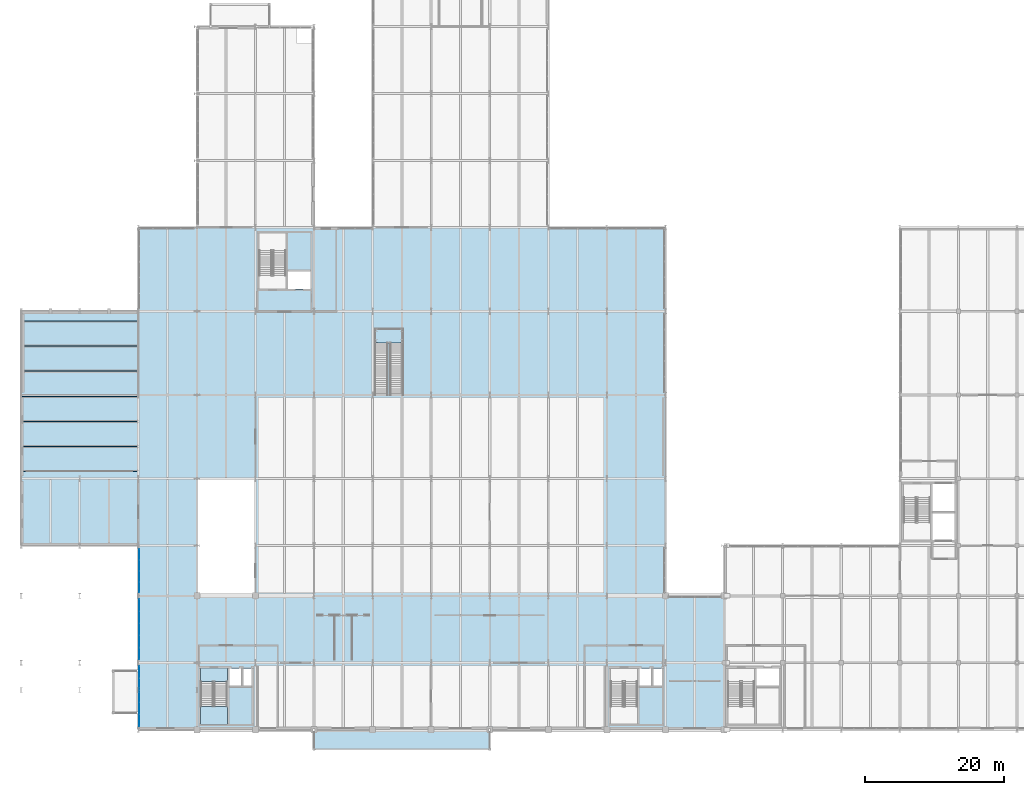
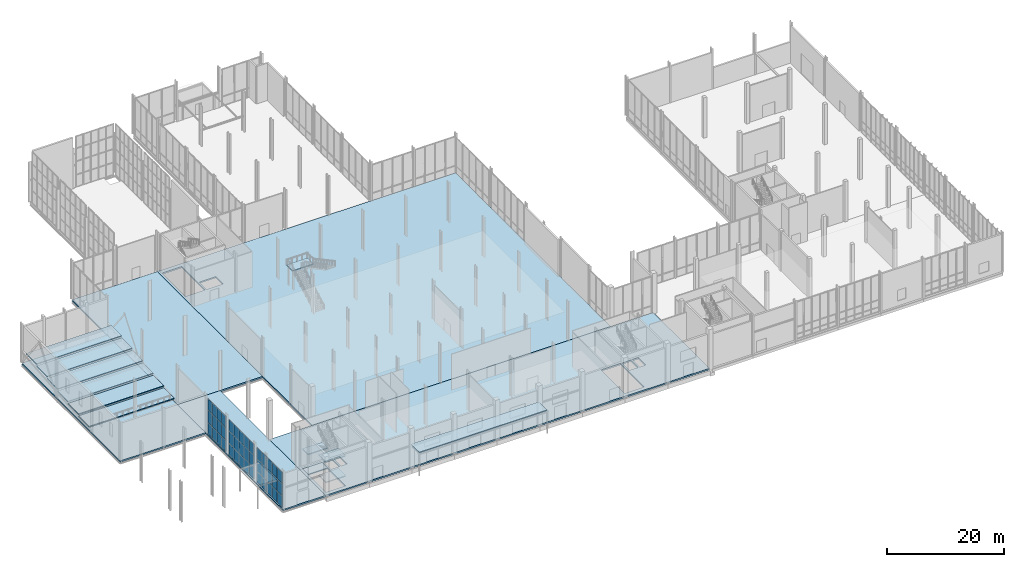
# One storey, part 100 of 131: 42 plates, 17 slabs, 5 elements without a shape of their own.
"""IFC4 building model written with IfcOpenShell, lengths in metres."""

from ifc_helpers import new_model, si_unit, direction, frame, origin, origin_2d, place, context, subcontext, project, spatial, polyline, rectangle, outline, extrude, material, layer, layer_set, type_object, element, aggregate, save


model = new_model("IFC4")

# Units and contexts
model_context = context("Model", 3, precision=1e-05, world=origin(), true_north=direction((0.0, 1.0)))
body_context = subcontext(model_context, "Body", "Model", "MODEL_VIEW")
ifc_project = project(units=[si_unit("LENGTHUNIT", "METRE"), si_unit("AREAUNIT", "SQUARE_METRE"), si_unit("VOLUMEUNIT", "CUBIC_METRE"), si_unit("PLANEANGLEUNIT", "RADIAN"), si_unit("MASSUNIT", "GRAM", prefix="KILO")], contexts=[model_context])

# Site, building, storey
site_placement = place(None, origin())
site = spatial("IfcSite", under=ifc_project, at=site_placement, CompositionType="ELEMENT")
building_placement = place(site_placement, origin())
building = spatial("IfcBuilding", under=site, at=building_placement, Name="Veltarok Museum of Natural Sciences", CompositionType="ELEMENT")
storey_placement = place(building_placement, origin())
storey = spatial("IfcBuildingStorey", under=building, at=storey_placement, Name="L00", CompositionType="ELEMENT", Elevation=0.0)

# Slabs
ifc_material_1 = material(Name="Precast concrete C40/50", Category="concrete")
ifc_layer_1 = layer(ifc_material_1, 0.179931640625)
ifc_layer_set_1 = layer_set([ifc_layer_1], Name="Precast concrete C40/50")
slab_type_1 = type_object("IfcSlabType", Name="Auditorium Raked Seating Tier Slab 180", PredefinedType="USERDEFINED", material=ifc_layer_set_1)
slab_1_placement = place(storey_placement, frame((0.0, 0.0, 0.570068359375)))
element("IfcSlab", 1, at=slab_1_placement, inside=storey, type_object=slab_type_1, Name="Stand Lower Auditorium Tier 1", ObjectType="SEATING TIER", PredefinedType="USERDEFINED", context=body_context, shape_type="SweptSolid", body=[
    extrude(outline(polyline([(6.39990234375, 37.0), (23.199951171875, 37.0), (23.199951171875, 40.60009765625), (6.39990234375, 40.60009765625), (6.39990234375, 37.0)])), origin(), (0.0, 0.0, 1.0), 0.179931640625),
])
slab_2_placement = place(storey_placement, frame((0.0, 0.0, 0.989990234375)))
element("IfcSlab", 2, at=slab_2_placement, inside=storey, type_object=slab_type_1, Name="Stand Lower Auditorium Tier 2", ObjectType="SEATING TIER", PredefinedType="USERDEFINED", context=body_context, shape_type="SweptSolid", body=[
    extrude(outline(polyline([(6.39990234375, 40.60009765625), (23.199951171875, 40.60009765625), (23.199951171875, 44.199951171875), (6.39990234375, 44.199951171875), (6.39990234375, 40.60009765625)])), origin(), (0.0, 0.0, 1.0), 0.179931640625),
])
slab_3_placement = place(storey_placement, frame((0.0, 0.0, 1.409912109375)))
element("IfcSlab", 3, at=slab_3_placement, inside=storey, type_object=slab_type_1, Name="Stand Lower Auditorium Tier 3", ObjectType="SEATING TIER", PredefinedType="USERDEFINED", context=body_context, shape_type="SweptSolid", body=[
    extrude(outline(polyline([(6.39990234375, 44.199951171875), (23.199951171875, 44.199951171875), (23.199951171875, 47.800048828125), (6.39990234375, 47.800048828125), (6.39990234375, 44.199951171875)])), origin(), (0.0, 0.0, 1.0), 0.18017578125),
])
slab_4_placement = place(storey_placement, frame((0.0, 0.0, 1.830078125)))
element("IfcSlab", 4, at=slab_4_placement, inside=storey, type_object=slab_type_1, Name="Stand Lower Auditorium Tier 4", ObjectType="SEATING TIER", PredefinedType="USERDEFINED", context=body_context, shape_type="SweptSolid", body=[
    extrude(outline(polyline([(6.39990234375, 47.800048828125), (23.199951171875, 47.800048828125), (23.199951171875, 51.39990234375), (6.39990234375, 51.39990234375), (6.39990234375, 47.800048828125)])), origin(), (0.0, 0.0, 1.0), 0.179931640625),
])
slab_5_placement = place(storey_placement, frame((0.0, 0.0, 2.25)))
element("IfcSlab", 5, at=slab_5_placement, inside=storey, type_object=slab_type_1, Name="Stand Lower Auditorium Tier 5", ObjectType="SEATING TIER", PredefinedType="USERDEFINED", context=body_context, shape_type="SweptSolid", body=[
    extrude(outline(polyline([(6.39990234375, 51.39990234375), (23.199951171875, 51.39990234375), (23.199951171875, 55.0), (6.39990234375, 55.0), (6.39990234375, 51.39990234375)])), origin(), (0.0, 0.0, 1.0), 0.179931640625),
])
slab_6_placement = place(storey_placement, frame((0.0, 0.0, 2.669921875)))
element("IfcSlab", 6, at=slab_6_placement, inside=storey, type_object=slab_type_1, Name="Stand Lower Auditorium Tier 6", ObjectType="SEATING TIER", PredefinedType="USERDEFINED", context=body_context, shape_type="SweptSolid", body=[
    extrude(outline(polyline([(6.39990234375, 55.0), (23.199951171875, 55.0), (23.199951171875, 58.60009765625), (6.39990234375, 58.60009765625), (6.39990234375, 55.0)])), origin(), (0.0, 0.0, 1.0), 0.18017578125),
])
ifc_material_2 = material(Name="Concrete C35/45", Category="concrete")
ifc_layer_2 = layer(ifc_material_2, 0.199951171875)
ifc_layer_set_2 = layer_set([ifc_layer_2], Name="Concrete C35/45")
slab_type_2 = type_object("IfcSlabType", Name="Cantilevered Cabinet Box Roof Slab 200", PredefinedType="ROOF", material=ifc_layer_set_2)
slab_7_placement = place(storey_placement, frame((0.0, 0.0, 4.60009765625)))
element("IfcSlab", 7, at=slab_7_placement, inside=storey, type_object=slab_type_2, Name="Entrance Canopy Roof Slab CAN-S", PredefinedType="ROOF", context=body_context, shape_type="SweptSolid", body=[
    extrude(outline(polyline([(48.39990234375, -2.800048828125), (73.60009765625, -2.800048828125), (73.60009765625, 0.0), (48.39990234375, 0.0), (48.39990234375, -2.800048828125)])), origin(), (0.0, 0.0, 1.0), 0.199951171875),
])
ifc_layer_3 = layer(ifc_material_2, 0.300048828125)
ifc_layer_set_3 = layer_set([ifc_layer_3], Name="Concrete C35/45")
slab_type_3 = type_object("IfcSlabType", Name="Ground Level Heavy Composite Slab 300", PredefinedType="FLOOR", material=ifc_layer_set_3)
slab_8_placement = place(storey_placement, frame((0.0, 0.0, -0.300048828125)))
element("IfcSlab", 8, at=slab_8_placement, inside=storey, type_object=slab_type_3, Name="Floor Slab L00 V1", PredefinedType="FLOOR", context=body_context, shape_type="SweptSolid", body=[
    extrude(outline(polyline([(31.60009765625, 0.0), (31.60009765625, 19.199951171875), (107.175048828125, 19.199951171875), (107.175048828125, 0.0), (31.60009765625, 0.0)]), holes=[polyline([(32.1298828125, 8.800048828125), (32.1298828125, 0.800048828125), (35.969970703125, 0.800048828125), (35.969970703125, 8.800048828125), (32.1298828125, 8.800048828125)]), polyline([(94.77001953125, 8.800048828125), (90.929931640625, 8.800048828125), (90.929931640625, 0.800048828125), (94.77001953125, 0.800048828125), (94.77001953125, 8.800048828125)]), polyline([(37.989990234375, 8.800048828125), (36.27001953125, 8.800048828125), (36.27001953125, 6.300048828125), (37.989990234375, 6.300048828125), (37.989990234375, 8.800048828125)]), polyline([(38.239990234375, 8.800048828125), (38.239990234375, 6.300048828125), (39.469970703125, 6.300048828125), (39.469970703125, 8.800048828125), (38.239990234375, 8.800048828125)]), polyline([(96.7900390625, 8.800048828125), (95.070068359375, 8.800048828125), (95.070068359375, 6.300048828125), (96.7900390625, 6.300048828125), (96.7900390625, 8.800048828125)]), polyline([(98.27001953125, 8.800048828125), (97.0400390625, 8.800048828125), (97.0400390625, 6.300048828125), (98.27001953125, 6.300048828125), (98.27001953125, 8.800048828125)])]), origin(), (0.0, 0.0, 1.0), 0.300048828125),
])
slab_9_placement = place(storey_placement, frame((0.0, 0.0, -0.300048828125)))
element("IfcSlab", 9, at=slab_9_placement, inside=storey, type_object=slab_type_3, Name="Floor Slab L00 V6S", PredefinedType="FLOOR", context=body_context, shape_type="SweptSolid", body=[
    extrude(outline(polyline([(23.199951171875, 0.0), (23.199951171875, 36.0), (31.60009765625, 36.0), (31.60009765625, 0.0), (23.199951171875, 0.0)])), origin(), (0.0, 0.0, 1.0), 0.300048828125),
])
slab_10_placement = place(storey_placement, frame((0.0, 0.0, -0.300048828125)))
element("IfcSlab", 10, at=slab_10_placement, inside=storey, type_object=slab_type_3, Name="Floor Slab L00 V6C", PredefinedType="FLOOR", context=body_context, shape_type="SweptSolid", body=[
    extrude(outline(polyline([(23.199951171875, 36.0), (23.199951171875, 72.0), (40.0, 72.0), (40.0, 36.0), (23.199951171875, 36.0)])), origin(), (0.0, 0.0, 1.0), 0.300048828125),
])
slab_11_placement = place(storey_placement, frame((0.0, 0.0, -0.300048828125)))
element("IfcSlab", 11, at=slab_11_placement, inside=storey, type_object=slab_type_3, Name="Floor Slab L00 V3", PredefinedType="FLOOR", context=body_context, shape_type="SweptSolid", body=[
    extrude(outline(polyline([(6.39990234375, 26.39990234375), (6.39990234375, 60.0), (23.199951171875, 60.0), (23.199951171875, 26.39990234375), (6.39990234375, 26.39990234375)])), origin(), (0.0, 0.0, 1.0), 0.300048828125),
])
slab_12_placement = place(storey_placement, frame((0.0, 0.0, -0.300048828125)))
element("IfcSlab", 12, at=slab_12_placement, inside=storey, type_object=slab_type_3, Name="Floor Slab L00 V2", PredefinedType="FLOOR", context=body_context, shape_type="SweptSolid", body=[
    extrude(outline(polyline([(40.0, 19.199951171875), (40.0, 72.0), (98.800048828125, 72.0), (98.800048828125, 19.199951171875), (40.0, 19.199951171875)]), holes=[polyline([(47.8701171875, 65.699951171875), (44.669921875, 65.699951171875), (44.669921875, 63.199951171875), (47.8701171875, 63.199951171875), (47.8701171875, 65.699951171875)]), polyline([(40.530029296875, 71.199951171875), (40.530029296875, 63.199951171875), (44.3701171875, 63.199951171875), (44.3701171875, 71.199951171875), (40.530029296875, 71.199951171875)])]), origin(), (0.0, 0.0, 1.0), 0.300048828125),
])
ifc_layer_4 = layer(ifc_material_2, 0.199951171875)
ifc_layer_set_4 = layer_set([ifc_layer_4], Name="Concrete C35/45")
slab_type_4 = type_object("IfcSlabType", Name="Protected Stair Intermediate Landing Slab 200", PredefinedType="LANDING", material=ifc_layer_set_4)
slab_13_placement = place(storey_placement, frame((0.0, 0.0, -0.199951171875)))
element("IfcSlab", 13, at=slab_13_placement, inside=storey, type_object=slab_type_4, Name="Stairwell Floor Landing ST-01 L00", PredefinedType="LANDING", context=body_context, shape_type="SweptSolid", body=[
    extrude(outline(polyline([(32.110107421875, 6.89990234375), (35.989990234375, 6.89990234375), (35.989990234375, 8.820068359375), (32.110107421875, 8.820068359375), (32.110107421875, 6.89990234375)])), origin(), (0.0, 0.0, 1.0), 0.199951171875),
])

# Stair, slabs
stair_type_1 = type_object("IfcStairType", Name="Protected Four-Flight Double-Height Escape Stair H8400", PredefinedType="HALF_TURN_STAIR", material=ifc_material_1)
stair_1_placement = place(storey_placement, origin())
stair_1 = element("IfcStair", 14, at=stair_1_placement, inside=storey, type_object=stair_type_1, Name="Protected Escape Stair ST-01-L00", PredefinedType="HALF_TURN_STAIR")
slab_14_placement = place(storey_placement, frame((0.0, 0.0, 1.89990234375)))
slab_14 = element("IfcSlab", 15, at=slab_14_placement, type_object=slab_type_4, Name="ST-01-L00 landing 1", PredefinedType="LANDING", context=body_context, shape_type="SweptSolid", body=[
    extrude(outline(polyline([(32.110107421875, 0.780029296875), (35.989990234375, 0.780029296875), (35.989990234375, 3.300048828125), (32.110107421875, 3.300048828125), (32.110107421875, 0.780029296875)])), origin(), (0.0, 0.0, 1.0), 0.2001953125),
])
slab_15_placement = place(storey_placement, frame((0.0, 0.0, 4.0)))
slab_15 = element("IfcSlab", 16, at=slab_15_placement, type_object=slab_type_4, Name="ST-01-L00 landing 2", PredefinedType="LANDING", context=body_context, shape_type="SweptSolid", body=[
    extrude(outline(polyline([(32.110107421875, 6.89990234375), (35.989990234375, 6.89990234375), (35.989990234375, 8.820068359375), (32.110107421875, 8.820068359375), (32.110107421875, 6.89990234375)])), origin(), (0.0, 0.0, 1.0), 0.199951171875),
])
slab_16_placement = place(storey_placement, frame((0.0, 0.0, 6.10009765625)))
slab_16 = element("IfcSlab", 17, at=slab_16_placement, type_object=slab_type_4, Name="ST-01-L00 landing 3", PredefinedType="LANDING", context=body_context, shape_type="SweptSolid", body=[
    extrude(outline(polyline([(32.110107421875, 0.780029296875), (35.989990234375, 0.780029296875), (35.989990234375, 3.300048828125), (32.110107421875, 3.300048828125), (32.110107421875, 0.780029296875)])), origin(), (0.0, 0.0, 1.0), 0.199951171875),
])
aggregate(stair_1, [slab_14, slab_15, slab_16])

# Stair, slab
stair_type_2 = type_object("IfcStairType", Name="Constructivist Atrium Feature Stair H8400", PredefinedType="HALF_TURN_STAIR", material=ifc_material_1)
stair_2_placement = place(storey_placement, origin())
stair_2 = element("IfcStair", 18, at=stair_2_placement, inside=storey, type_object=stair_type_2, Name="Constructivist Atrium Feature Stair ST-ATR01", PredefinedType="HALF_TURN_STAIR")
slab_17_placement = place(storey_placement, frame((0.0, 0.0, 4.0)))
slab_17 = element("IfcSlab", 19, at=slab_17_placement, type_object=slab_type_4, Name="ST-ATR01 landing 1", PredefinedType="LANDING", context=body_context, shape_type="SweptSolid", body=[
    extrude(outline(polyline([(57.080078125, 55.47998046875), (61.239990234375, 55.47998046875), (61.239990234375, 57.530029296875), (57.080078125, 57.530029296875), (57.080078125, 55.47998046875)])), origin(), (0.0, 0.0, 1.0), 0.199951171875),
])
aggregate(stair_2, [slab_17])

# Curtain wall, plates
ifc_material_3 = material(Name="Low-iron triple insulated glass", Category="glass")
curtain_wall_type_1 = type_object("IfcCurtainWallType", Name="Curtain Wall System CW-PAS-W-AB-870x745 (West Forecourt Passage A-B 870x745cm)", PredefinedType="NOTDEFINED", material=ifc_material_3)
curtain_wall_1_placement = place(storey_placement, origin())
curtain_wall_1 = element("IfcCurtainWall", 20, at=curtain_wall_1_placement, inside=storey, type_object=curtain_wall_type_1, Name="Curtain Wall CW-PAS-W-AB-870x745 CW-0021", PredefinedType="NOTDEFINED")
ifc_layer_5 = layer(ifc_material_3, 0.028076171875)
ifc_layer_set_5 = layer_set([ifc_layer_5], Name="Low-iron triple insulated glass")
plate_type = type_object("IfcPlateType", Name="Triple Low-Iron Glazed Vision Panel 28", PredefinedType="CURTAIN_PANEL", material=ifc_layer_set_5)
plate_1_placement = place(storey_placement, frame((23.35009765625, 1.3349609375, 0.06005859375), z_axis=(0.0, 0.0, 1.0), x_axis=(0.0, 1.0, 0.0)))
plate_1 = element("IfcPlate", 21, at=plate_1_placement, type_object=plate_type, Name="CW-PAS-W-AB-870x745 panel 1.1", PredefinedType="CURTAIN_PANEL", context=body_context, shape_type="SweptSolid", body=[
    extrude(rectangle(XDim=1.64990234375, YDim=0.028076171875, at=origin_2d()), origin(), (0.0, 0.0, 1.0), 2.31005859375),
])
plate_2_placement = place(storey_placement, frame((23.35009765625, 1.3349609375, 2.429931640625), z_axis=(0.0, 0.0, 1.0), x_axis=(0.0, 1.0, 0.0)))
plate_2 = element("IfcPlate", 22, at=plate_2_placement, type_object=plate_type, Name="CW-PAS-W-AB-870x745 panel 1.2", PredefinedType="CURTAIN_PANEL", context=body_context, shape_type="SweptSolid", body=[
    extrude(rectangle(XDim=1.64990234375, YDim=0.028076171875, at=origin_2d()), origin(), (0.0, 0.0, 1.0), 2.5400390625),
])
plate_3_placement = place(storey_placement, frame((23.35009765625, 1.3349609375, 5.02978515625), z_axis=(0.0, 0.0, 1.0), x_axis=(0.0, 1.0, 0.0)))
plate_3 = element("IfcPlate", 23, at=plate_3_placement, type_object=plate_type, Name="CW-PAS-W-AB-870x745 panel 1.3", PredefinedType="CURTAIN_PANEL", context=body_context, shape_type="SweptSolid", body=[
    extrude(rectangle(XDim=1.64990234375, YDim=0.028076171875, at=origin_2d()), origin(), (0.0, 0.0, 1.0), 2.360107421875),
])
plate_4_placement = place(storey_placement, frame((23.35009765625, 3.06005859375, 0.06005859375), z_axis=(0.0, 0.0, 1.0), x_axis=(0.0, 1.0, 0.0)))
plate_4 = element("IfcPlate", 24, at=plate_4_placement, type_object=plate_type, Name="CW-PAS-W-AB-870x745 panel 2.1", PredefinedType="CURTAIN_PANEL", context=body_context, shape_type="SweptSolid", body=[
    extrude(rectangle(XDim=1.679931640625, YDim=0.028076171875, at=origin_2d()), origin(), (0.0, 0.0, 1.0), 2.31005859375),
])
plate_5_placement = place(storey_placement, frame((23.35009765625, 3.06005859375, 2.429931640625), z_axis=(0.0, 0.0, 1.0), x_axis=(0.0, 1.0, 0.0)))
plate_5 = element("IfcPlate", 25, at=plate_5_placement, type_object=plate_type, Name="CW-PAS-W-AB-870x745 panel 2.2", PredefinedType="CURTAIN_PANEL", context=body_context, shape_type="SweptSolid", body=[
    extrude(rectangle(XDim=1.679931640625, YDim=0.028076171875, at=origin_2d()), origin(), (0.0, 0.0, 1.0), 2.5400390625),
])
plate_6_placement = place(storey_placement, frame((23.35009765625, 3.06005859375, 5.02978515625), z_axis=(0.0, 0.0, 1.0), x_axis=(0.0, 1.0, 0.0)))
plate_6 = element("IfcPlate", 26, at=plate_6_placement, type_object=plate_type, Name="CW-PAS-W-AB-870x745 panel 2.3", PredefinedType="CURTAIN_PANEL", context=body_context, shape_type="SweptSolid", body=[
    extrude(rectangle(XDim=1.679931640625, YDim=0.028076171875, at=origin_2d()), origin(), (0.0, 0.0, 1.0), 2.360107421875),
])
plate_7_placement = place(storey_placement, frame((23.35009765625, 4.800048828125, 0.06005859375), z_axis=(0.0, 0.0, 1.0), x_axis=(0.0, 1.0, 0.0)))
plate_7 = element("IfcPlate", 27, at=plate_7_placement, type_object=plate_type, Name="CW-PAS-W-AB-870x745 panel 3.1", PredefinedType="CURTAIN_PANEL", context=body_context, shape_type="SweptSolid", body=[
    extrude(rectangle(XDim=1.679931640625, YDim=0.028076171875, at=origin_2d()), origin(), (0.0, 0.0, 1.0), 2.31005859375),
])
plate_8_placement = place(storey_placement, frame((23.35009765625, 4.800048828125, 2.429931640625), z_axis=(0.0, 0.0, 1.0), x_axis=(0.0, 1.0, 0.0)))
plate_8 = element("IfcPlate", 28, at=plate_8_placement, type_object=plate_type, Name="CW-PAS-W-AB-870x745 panel 3.2", PredefinedType="CURTAIN_PANEL", context=body_context, shape_type="SweptSolid", body=[
    extrude(rectangle(XDim=1.679931640625, YDim=0.028076171875, at=origin_2d()), origin(), (0.0, 0.0, 1.0), 2.5400390625),
])
plate_9_placement = place(storey_placement, frame((23.35009765625, 4.800048828125, 5.02978515625), z_axis=(0.0, 0.0, 1.0), x_axis=(0.0, 1.0, 0.0)))
plate_9 = element("IfcPlate", 29, at=plate_9_placement, type_object=plate_type, Name="CW-PAS-W-AB-870x745 panel 3.3", PredefinedType="CURTAIN_PANEL", context=body_context, shape_type="SweptSolid", body=[
    extrude(rectangle(XDim=1.679931640625, YDim=0.028076171875, at=origin_2d()), origin(), (0.0, 0.0, 1.0), 2.360107421875),
])
plate_10_placement = place(storey_placement, frame((23.35009765625, 6.5400390625, 0.06005859375), z_axis=(0.0, 0.0, 1.0), x_axis=(0.0, 1.0, 0.0)))
plate_10 = element("IfcPlate", 30, at=plate_10_placement, type_object=plate_type, Name="CW-PAS-W-AB-870x745 panel 4.1", PredefinedType="CURTAIN_PANEL", context=body_context, shape_type="SweptSolid", body=[
    extrude(rectangle(XDim=1.679931640625, YDim=0.028076171875, at=origin_2d()), origin(), (0.0, 0.0, 1.0), 2.31005859375),
])
plate_11_placement = place(storey_placement, frame((23.35009765625, 6.5400390625, 2.429931640625), z_axis=(0.0, 0.0, 1.0), x_axis=(0.0, 1.0, 0.0)))
plate_11 = element("IfcPlate", 31, at=plate_11_placement, type_object=plate_type, Name="CW-PAS-W-AB-870x745 panel 4.2", PredefinedType="CURTAIN_PANEL", context=body_context, shape_type="SweptSolid", body=[
    extrude(rectangle(XDim=1.679931640625, YDim=0.028076171875, at=origin_2d()), origin(), (0.0, 0.0, 1.0), 2.5400390625),
])
plate_12_placement = place(storey_placement, frame((23.35009765625, 6.5400390625, 5.02978515625), z_axis=(0.0, 0.0, 1.0), x_axis=(0.0, 1.0, 0.0)))
plate_12 = element("IfcPlate", 32, at=plate_12_placement, type_object=plate_type, Name="CW-PAS-W-AB-870x745 panel 4.3", PredefinedType="CURTAIN_PANEL", context=body_context, shape_type="SweptSolid", body=[
    extrude(rectangle(XDim=1.679931640625, YDim=0.028076171875, at=origin_2d()), origin(), (0.0, 0.0, 1.0), 2.360107421875),
])
plate_13_placement = place(storey_placement, frame((23.35009765625, 8.264892578125, 0.06005859375), z_axis=(0.0, 0.0, 1.0), x_axis=(0.0, 1.0, 0.0)))
plate_13 = element("IfcPlate", 33, at=plate_13_placement, type_object=plate_type, Name="CW-PAS-W-AB-870x745 panel 5.1", PredefinedType="CURTAIN_PANEL", context=body_context, shape_type="SweptSolid", body=[
    extrude(rectangle(XDim=1.64990234375, YDim=0.028076171875, at=origin_2d()), origin(), (0.0, 0.0, 1.0), 2.31005859375),
])
plate_14_placement = place(storey_placement, frame((23.35009765625, 8.264892578125, 2.429931640625), z_axis=(0.0, 0.0, 1.0), x_axis=(0.0, 1.0, 0.0)))
plate_14 = element("IfcPlate", 34, at=plate_14_placement, type_object=plate_type, Name="CW-PAS-W-AB-870x745 panel 5.2", PredefinedType="CURTAIN_PANEL", context=body_context, shape_type="SweptSolid", body=[
    extrude(rectangle(XDim=1.64990234375, YDim=0.028076171875, at=origin_2d()), origin(), (0.0, 0.0, 1.0), 2.5400390625),
])
plate_15_placement = place(storey_placement, frame((23.35009765625, 8.264892578125, 5.02978515625), z_axis=(0.0, 0.0, 1.0), x_axis=(0.0, 1.0, 0.0)))
plate_15 = element("IfcPlate", 35, at=plate_15_placement, type_object=plate_type, Name="CW-PAS-W-AB-870x745 panel 5.3", PredefinedType="CURTAIN_PANEL", context=body_context, shape_type="SweptSolid", body=[
    extrude(rectangle(XDim=1.64990234375, YDim=0.028076171875, at=origin_2d()), origin(), (0.0, 0.0, 1.0), 2.360107421875),
])
aggregate(curtain_wall_1, [plate_1, plate_2, plate_3, plate_4, plate_5, plate_6, plate_7, plate_8, plate_9, plate_10, plate_11, plate_12, plate_13, plate_14, plate_15])

curtain_wall_type_2 = type_object("IfcCurtainWallType", Name="Curtain Wall System CW-PAS-W-BC-870x745 (West Forecourt Passage B-C 870x745cm)", PredefinedType="NOTDEFINED", material=ifc_material_3)
curtain_wall_2_placement = place(storey_placement, origin())
curtain_wall_2 = element("IfcCurtainWall", 36, at=curtain_wall_2_placement, inside=storey, type_object=curtain_wall_type_2, Name="Curtain Wall CW-PAS-W-BC-870x745 CW-0022", PredefinedType="NOTDEFINED")
plate_16_placement = place(storey_placement, frame((23.35009765625, 10.93505859375, 0.06005859375), z_axis=(0.0, 0.0, 1.0), x_axis=(0.0, 1.0, 0.0)))
plate_16 = element("IfcPlate", 37, at=plate_16_placement, type_object=plate_type, Name="CW-PAS-W-BC-870x745 panel 1.1", PredefinedType="CURTAIN_PANEL", context=body_context, shape_type="SweptSolid", body=[
    extrude(rectangle(XDim=1.64990234375, YDim=0.028076171875, at=origin_2d()), origin(), (0.0, 0.0, 1.0), 2.31005859375),
])
plate_17_placement = place(storey_placement, frame((23.35009765625, 10.93505859375, 2.429931640625), z_axis=(0.0, 0.0, 1.0), x_axis=(0.0, 1.0, 0.0)))
plate_17 = element("IfcPlate", 38, at=plate_17_placement, type_object=plate_type, Name="CW-PAS-W-BC-870x745 panel 1.2", PredefinedType="CURTAIN_PANEL", context=body_context, shape_type="SweptSolid", body=[
    extrude(rectangle(XDim=1.64990234375, YDim=0.028076171875, at=origin_2d()), origin(), (0.0, 0.0, 1.0), 2.5400390625),
])
plate_18_placement = place(storey_placement, frame((23.35009765625, 10.93505859375, 5.02978515625), z_axis=(0.0, 0.0, 1.0), x_axis=(0.0, 1.0, 0.0)))
plate_18 = element("IfcPlate", 39, at=plate_18_placement, type_object=plate_type, Name="CW-PAS-W-BC-870x745 panel 1.3", PredefinedType="CURTAIN_PANEL", context=body_context, shape_type="SweptSolid", body=[
    extrude(rectangle(XDim=1.64990234375, YDim=0.028076171875, at=origin_2d()), origin(), (0.0, 0.0, 1.0), 2.360107421875),
])
plate_19_placement = place(storey_placement, frame((23.35009765625, 12.659912109375, 0.06005859375), z_axis=(0.0, 0.0, 1.0), x_axis=(0.0, 1.0, 0.0)))
plate_19 = element("IfcPlate", 40, at=plate_19_placement, type_object=plate_type, Name="CW-PAS-W-BC-870x745 panel 2.1", PredefinedType="CURTAIN_PANEL", context=body_context, shape_type="SweptSolid", body=[
    extrude(rectangle(XDim=1.679931640625, YDim=0.028076171875, at=origin_2d()), origin(), (0.0, 0.0, 1.0), 2.31005859375),
])
plate_20_placement = place(storey_placement, frame((23.35009765625, 12.659912109375, 2.429931640625), z_axis=(0.0, 0.0, 1.0), x_axis=(0.0, 1.0, 0.0)))
plate_20 = element("IfcPlate", 41, at=plate_20_placement, type_object=plate_type, Name="CW-PAS-W-BC-870x745 panel 2.2", PredefinedType="CURTAIN_PANEL", context=body_context, shape_type="SweptSolid", body=[
    extrude(rectangle(XDim=1.679931640625, YDim=0.028076171875, at=origin_2d()), origin(), (0.0, 0.0, 1.0), 2.5400390625),
])
plate_21_placement = place(storey_placement, frame((23.35009765625, 12.659912109375, 5.02978515625), z_axis=(0.0, 0.0, 1.0), x_axis=(0.0, 1.0, 0.0)))
plate_21 = element("IfcPlate", 42, at=plate_21_placement, type_object=plate_type, Name="CW-PAS-W-BC-870x745 panel 2.3", PredefinedType="CURTAIN_PANEL", context=body_context, shape_type="SweptSolid", body=[
    extrude(rectangle(XDim=1.679931640625, YDim=0.028076171875, at=origin_2d()), origin(), (0.0, 0.0, 1.0), 2.360107421875),
])
plate_22_placement = place(storey_placement, frame((23.35009765625, 14.39990234375, 0.06005859375), z_axis=(0.0, 0.0, 1.0), x_axis=(0.0, 1.0, 0.0)))
plate_22 = element("IfcPlate", 43, at=plate_22_placement, type_object=plate_type, Name="CW-PAS-W-BC-870x745 panel 3.1", PredefinedType="CURTAIN_PANEL", context=body_context, shape_type="SweptSolid", body=[
    extrude(rectangle(XDim=1.679931640625, YDim=0.028076171875, at=origin_2d()), origin(), (0.0, 0.0, 1.0), 2.31005859375),
])
plate_23_placement = place(storey_placement, frame((23.35009765625, 14.39990234375, 2.429931640625), z_axis=(0.0, 0.0, 1.0), x_axis=(0.0, 1.0, 0.0)))
plate_23 = element("IfcPlate", 44, at=plate_23_placement, type_object=plate_type, Name="CW-PAS-W-BC-870x745 panel 3.2", PredefinedType="CURTAIN_PANEL", context=body_context, shape_type="SweptSolid", body=[
    extrude(rectangle(XDim=1.679931640625, YDim=0.028076171875, at=origin_2d()), origin(), (0.0, 0.0, 1.0), 2.5400390625),
])
plate_24_placement = place(storey_placement, frame((23.35009765625, 14.39990234375, 5.02978515625), z_axis=(0.0, 0.0, 1.0), x_axis=(0.0, 1.0, 0.0)))
plate_24 = element("IfcPlate", 45, at=plate_24_placement, type_object=plate_type, Name="CW-PAS-W-BC-870x745 panel 3.3", PredefinedType="CURTAIN_PANEL", context=body_context, shape_type="SweptSolid", body=[
    extrude(rectangle(XDim=1.679931640625, YDim=0.028076171875, at=origin_2d()), origin(), (0.0, 0.0, 1.0), 2.360107421875),
])
plate_25_placement = place(storey_placement, frame((23.35009765625, 16.139892578125, 0.06005859375), z_axis=(0.0, 0.0, 1.0), x_axis=(0.0, 1.0, 0.0)))
plate_25 = element("IfcPlate", 46, at=plate_25_placement, type_object=plate_type, Name="CW-PAS-W-BC-870x745 panel 4.1", PredefinedType="CURTAIN_PANEL", context=body_context, shape_type="SweptSolid", body=[
    extrude(rectangle(XDim=1.679931640625, YDim=0.028076171875, at=origin_2d()), origin(), (0.0, 0.0, 1.0), 2.31005859375),
])
plate_26_placement = place(storey_placement, frame((23.35009765625, 16.139892578125, 2.429931640625), z_axis=(0.0, 0.0, 1.0), x_axis=(0.0, 1.0, 0.0)))
plate_26 = element("IfcPlate", 47, at=plate_26_placement, type_object=plate_type, Name="CW-PAS-W-BC-870x745 panel 4.2", PredefinedType="CURTAIN_PANEL", context=body_context, shape_type="SweptSolid", body=[
    extrude(rectangle(XDim=1.679931640625, YDim=0.028076171875, at=origin_2d()), origin(), (0.0, 0.0, 1.0), 2.5400390625),
])
plate_27_placement = place(storey_placement, frame((23.35009765625, 16.139892578125, 5.02978515625), z_axis=(0.0, 0.0, 1.0), x_axis=(0.0, 1.0, 0.0)))
plate_27 = element("IfcPlate", 48, at=plate_27_placement, type_object=plate_type, Name="CW-PAS-W-BC-870x745 panel 4.3", PredefinedType="CURTAIN_PANEL", context=body_context, shape_type="SweptSolid", body=[
    extrude(rectangle(XDim=1.679931640625, YDim=0.028076171875, at=origin_2d()), origin(), (0.0, 0.0, 1.0), 2.360107421875),
])
plate_28_placement = place(storey_placement, frame((23.35009765625, 17.864990234375, 0.06005859375), z_axis=(0.0, 0.0, 1.0), x_axis=(0.0, 1.0, 0.0)))
plate_28 = element("IfcPlate", 49, at=plate_28_placement, type_object=plate_type, Name="CW-PAS-W-BC-870x745 panel 5.1", PredefinedType="CURTAIN_PANEL", context=body_context, shape_type="SweptSolid", body=[
    extrude(rectangle(XDim=1.64990234375, YDim=0.028076171875, at=origin_2d()), origin(), (0.0, 0.0, 1.0), 2.31005859375),
])
plate_29_placement = place(storey_placement, frame((23.35009765625, 17.864990234375, 2.429931640625), z_axis=(0.0, 0.0, 1.0), x_axis=(0.0, 1.0, 0.0)))
plate_29 = element("IfcPlate", 50, at=plate_29_placement, type_object=plate_type, Name="CW-PAS-W-BC-870x745 panel 5.2", PredefinedType="CURTAIN_PANEL", context=body_context, shape_type="SweptSolid", body=[
    extrude(rectangle(XDim=1.64990234375, YDim=0.028076171875, at=origin_2d()), origin(), (0.0, 0.0, 1.0), 2.5400390625),
])
plate_30_placement = place(storey_placement, frame((23.35009765625, 17.864990234375, 5.02978515625), z_axis=(0.0, 0.0, 1.0), x_axis=(0.0, 1.0, 0.0)))
plate_30 = element("IfcPlate", 51, at=plate_30_placement, type_object=plate_type, Name="CW-PAS-W-BC-870x745 panel 5.3", PredefinedType="CURTAIN_PANEL", context=body_context, shape_type="SweptSolid", body=[
    extrude(rectangle(XDim=1.64990234375, YDim=0.028076171875, at=origin_2d()), origin(), (0.0, 0.0, 1.0), 2.360107421875),
])
aggregate(curtain_wall_2, [plate_16, plate_17, plate_18, plate_19, plate_20, plate_21, plate_22, plate_23, plate_24, plate_25, plate_26, plate_27, plate_28, plate_29, plate_30])

curtain_wall_type_3 = type_object("IfcCurtainWallType", Name="Curtain Wall System CW-PAS-W-CD-630x745 (West Forecourt Passage C-D 630x745cm)", PredefinedType="NOTDEFINED", material=ifc_material_3)
curtain_wall_3_placement = place(storey_placement, origin())
curtain_wall_3 = element("IfcCurtainWall", 52, at=curtain_wall_3_placement, inside=storey, type_object=curtain_wall_type_3, Name="Curtain Wall CW-PAS-W-CD-630x745 CW-0023", PredefinedType="NOTDEFINED")
plate_31_placement = place(storey_placement, frame((23.35009765625, 20.452392578125, 0.06005859375), z_axis=(0.0, 0.0, 1.0), x_axis=(0.0, 1.0, 0.0)))
plate_31 = element("IfcPlate", 53, at=plate_31_placement, type_object=plate_type, Name="CW-PAS-W-CD-630x745 panel 1.1", PredefinedType="CURTAIN_PANEL", context=body_context, shape_type="SweptSolid", body=[
    extrude(rectangle(XDim=1.485107421875, YDim=0.028076171875, at=origin_2d()), origin(), (0.0, 0.0, 1.0), 2.31005859375),
])
plate_32_placement = place(storey_placement, frame((23.35009765625, 20.452392578125, 2.429931640625), z_axis=(0.0, 0.0, 1.0), x_axis=(0.0, 1.0, 0.0)))
plate_32 = element("IfcPlate", 54, at=plate_32_placement, type_object=plate_type, Name="CW-PAS-W-CD-630x745 panel 1.2", PredefinedType="CURTAIN_PANEL", context=body_context, shape_type="SweptSolid", body=[
    extrude(rectangle(XDim=1.485107421875, YDim=0.028076171875, at=origin_2d()), origin(), (0.0, 0.0, 1.0), 2.5400390625),
])
plate_33_placement = place(storey_placement, frame((23.35009765625, 20.452392578125, 5.02978515625), z_axis=(0.0, 0.0, 1.0), x_axis=(0.0, 1.0, 0.0)))
plate_33 = element("IfcPlate", 55, at=plate_33_placement, type_object=plate_type, Name="CW-PAS-W-CD-630x745 panel 1.3", PredefinedType="CURTAIN_PANEL", context=body_context, shape_type="SweptSolid", body=[
    extrude(rectangle(XDim=1.485107421875, YDim=0.028076171875, at=origin_2d()), origin(), (0.0, 0.0, 1.0), 2.360107421875),
])
plate_34_placement = place(storey_placement, frame((23.35009765625, 22.012451171875, 0.06005859375), z_axis=(0.0, 0.0, 1.0), x_axis=(0.0, 1.0, 0.0)))
plate_34 = element("IfcPlate", 56, at=plate_34_placement, type_object=plate_type, Name="CW-PAS-W-CD-630x745 panel 2.1", PredefinedType="CURTAIN_PANEL", context=body_context, shape_type="SweptSolid", body=[
    extrude(rectangle(XDim=1.514892578125, YDim=0.028076171875, at=origin_2d()), origin(), (0.0, 0.0, 1.0), 2.31005859375),
])
plate_35_placement = place(storey_placement, frame((23.35009765625, 22.012451171875, 2.429931640625), z_axis=(0.0, 0.0, 1.0), x_axis=(0.0, 1.0, 0.0)))
plate_35 = element("IfcPlate", 57, at=plate_35_placement, type_object=plate_type, Name="CW-PAS-W-CD-630x745 panel 2.2", PredefinedType="CURTAIN_PANEL", context=body_context, shape_type="SweptSolid", body=[
    extrude(rectangle(XDim=1.514892578125, YDim=0.028076171875, at=origin_2d()), origin(), (0.0, 0.0, 1.0), 2.5400390625),
])
plate_36_placement = place(storey_placement, frame((23.35009765625, 22.012451171875, 5.02978515625), z_axis=(0.0, 0.0, 1.0), x_axis=(0.0, 1.0, 0.0)))
plate_36 = element("IfcPlate", 58, at=plate_36_placement, type_object=plate_type, Name="CW-PAS-W-CD-630x745 panel 2.3", PredefinedType="CURTAIN_PANEL", context=body_context, shape_type="SweptSolid", body=[
    extrude(rectangle(XDim=1.514892578125, YDim=0.028076171875, at=origin_2d()), origin(), (0.0, 0.0, 1.0), 2.360107421875),
])
plate_37_placement = place(storey_placement, frame((23.35009765625, 23.58740234375, 0.06005859375), z_axis=(0.0, 0.0, 1.0), x_axis=(0.0, 1.0, 0.0)))
plate_37 = element("IfcPlate", 59, at=plate_37_placement, type_object=plate_type, Name="CW-PAS-W-CD-630x745 panel 3.1", PredefinedType="CURTAIN_PANEL", context=body_context, shape_type="SweptSolid", body=[
    extrude(rectangle(XDim=1.514892578125, YDim=0.028076171875, at=origin_2d()), origin(), (0.0, 0.0, 1.0), 2.31005859375),
])
plate_38_placement = place(storey_placement, frame((23.35009765625, 23.58740234375, 2.429931640625), z_axis=(0.0, 0.0, 1.0), x_axis=(0.0, 1.0, 0.0)))
plate_38 = element("IfcPlate", 60, at=plate_38_placement, type_object=plate_type, Name="CW-PAS-W-CD-630x745 panel 3.2", PredefinedType="CURTAIN_PANEL", context=body_context, shape_type="SweptSolid", body=[
    extrude(rectangle(XDim=1.514892578125, YDim=0.028076171875, at=origin_2d()), origin(), (0.0, 0.0, 1.0), 2.5400390625),
])
plate_39_placement = place(storey_placement, frame((23.35009765625, 23.58740234375, 5.02978515625), z_axis=(0.0, 0.0, 1.0), x_axis=(0.0, 1.0, 0.0)))
plate_39 = element("IfcPlate", 61, at=plate_39_placement, type_object=plate_type, Name="CW-PAS-W-CD-630x745 panel 3.3", PredefinedType="CURTAIN_PANEL", context=body_context, shape_type="SweptSolid", body=[
    extrude(rectangle(XDim=1.514892578125, YDim=0.028076171875, at=origin_2d()), origin(), (0.0, 0.0, 1.0), 2.360107421875),
])
plate_40_placement = place(storey_placement, frame((23.35009765625, 25.1474609375, 0.06005859375), z_axis=(0.0, 0.0, 1.0), x_axis=(0.0, 1.0, 0.0)))
plate_40 = element("IfcPlate", 62, at=plate_40_placement, type_object=plate_type, Name="CW-PAS-W-CD-630x745 panel 4.1", PredefinedType="CURTAIN_PANEL", context=body_context, shape_type="SweptSolid", body=[
    extrude(rectangle(XDim=1.485107421875, YDim=0.028076171875, at=origin_2d()), origin(), (0.0, 0.0, 1.0), 2.31005859375),
])
plate_41_placement = place(storey_placement, frame((23.35009765625, 25.1474609375, 2.429931640625), z_axis=(0.0, 0.0, 1.0), x_axis=(0.0, 1.0, 0.0)))
plate_41 = element("IfcPlate", 63, at=plate_41_placement, type_object=plate_type, Name="CW-PAS-W-CD-630x745 panel 4.2", PredefinedType="CURTAIN_PANEL", context=body_context, shape_type="SweptSolid", body=[
    extrude(rectangle(XDim=1.485107421875, YDim=0.028076171875, at=origin_2d()), origin(), (0.0, 0.0, 1.0), 2.5400390625),
])
plate_42_placement = place(storey_placement, frame((23.35009765625, 25.1474609375, 5.02978515625), z_axis=(0.0, 0.0, 1.0), x_axis=(0.0, 1.0, 0.0)))
plate_42 = element("IfcPlate", 64, at=plate_42_placement, type_object=plate_type, Name="CW-PAS-W-CD-630x745 panel 4.3", PredefinedType="CURTAIN_PANEL", context=body_context, shape_type="SweptSolid", body=[
    extrude(rectangle(XDim=1.485107421875, YDim=0.028076171875, at=origin_2d()), origin(), (0.0, 0.0, 1.0), 2.360107421875),
])
aggregate(curtain_wall_3, [plate_31, plate_32, plate_33, plate_34, plate_35, plate_36, plate_37, plate_38, plate_39, plate_40, plate_41, plate_42])

save(model, "model.ifc")
